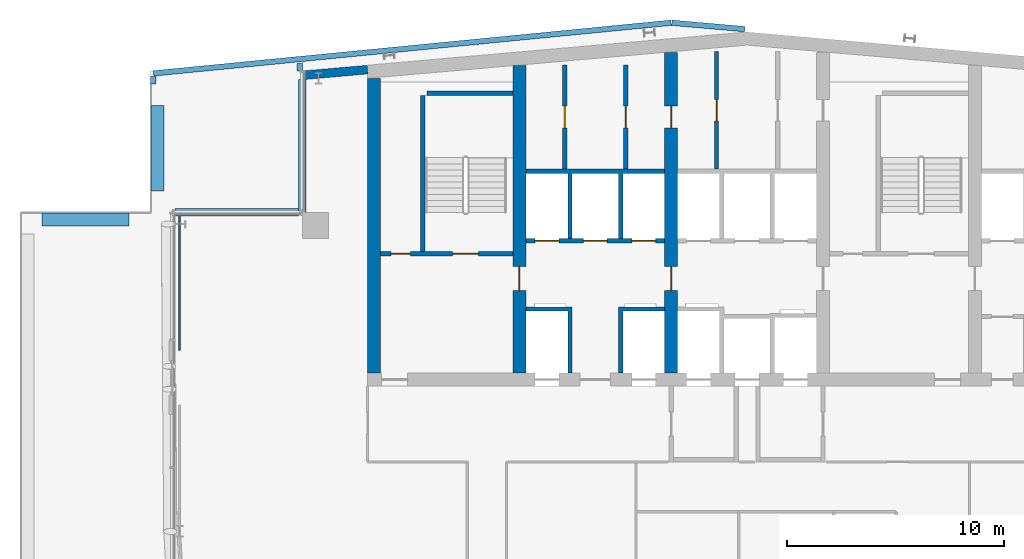
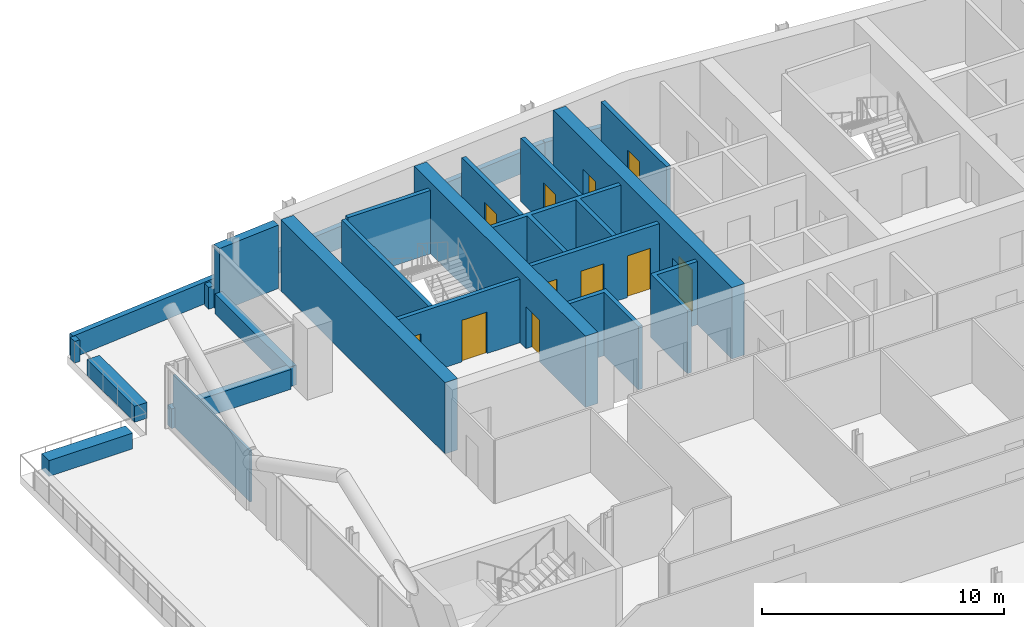
# One storey, part 16 of 27: 23 walls, 11 doors, 11 openings.
"""IFC4 building model written with IfcOpenShell, lengths in metres."""

import ifcopenshell
import ifcopenshell.guid

model = None  # the IFC model being written
_history = None  # IfcOwnerHistory: only IFC2X3 demands one
_inside = {}  # id of a spatial element -> (the spatial element, [elements in it])
_under = {}  # id of a project, library or spatial element -> (it, [spatial elements below it])
_declared = {}  # id of a project -> (the project, [libraries it declares])
_typed = {}  # id of a type object -> (the type object, [elements of that type])
_made_of = {}  # id of a material, layer set ... -> (it, [elements and type objects made of it])


def new_model(schema):
    """Start an empty IFC model of exactly this schema.

    Asked for "IFC4X3", IfcOpenShell would pick the latest addendum, in which some entities
    have other attributes; the version numbers below select the first issue.
    IFC2X3 requires an IfcOwnerHistory on every rooted entity: one is made here for all.
    """
    global model, _history
    if schema == "IFC4X3":
        model = ifcopenshell.file(schema_version=(4, 3, 0, 0))
    else:
        model = ifcopenshell.file(schema=schema)
    _inside.clear()
    _under.clear()
    _declared.clear()
    _typed.clear()
    _made_of.clear()
    _history = None
    if model.schema == "IFC2X3":
        org = make("IfcOrganization", Name="unknown")
        user = make(
            "IfcPersonAndOrganization",
            ThePerson=make("IfcPerson", FamilyName="unknown"),
            TheOrganization=org,
        )
        app = make(
            "IfcApplication",
            ApplicationDeveloper=org,
            Version="unknown",
            ApplicationFullName="unknown",
            ApplicationIdentifier="unknown",
        )
        _history = make(
            "IfcOwnerHistory",
            OwningUser=user,
            OwningApplication=app,
            ChangeAction="ADDED",
            CreationDate=0,
        )
    return model


def make(cls, **values):
    """One entity of the class cls with the attributes given. An attribute that is None is left unset."""
    return model.create_entity(
        cls, **{name: value for name, value in values.items() if value is not None}
    )


def rooted(cls, **values):
    """An entity with a GlobalId (a new one), such as an element, a storey or a relation."""
    return make(cls, GlobalId=ifcopenshell.guid.new(), OwnerHistory=_history, **values)


def si_unit(unit_type, name, prefix=None):
    """IfcSIUnit, for example si_unit("LENGTHUNIT", "METRE", prefix="MILLI")."""
    return make("IfcSIUnit", UnitType=unit_type, Prefix=prefix, Name=name)


def assignment(units):
    """IfcUnitAssignment: the units of a project."""
    return None if units is None else make("IfcUnitAssignment", Units=units)


def point(xyz):
    """IfcCartesianPoint."""
    return None if xyz is None else make("IfcCartesianPoint", Coordinates=xyz)


def direction(xyz):
    """IfcDirection."""
    return None if xyz is None else make("IfcDirection", DirectionRatios=xyz)


def frame(location, z_axis=None, x_axis=None):
    """IfcAxis2Placement3D, a coordinate frame: its origin and axes. An axis left out is left unset."""
    return make(
        "IfcAxis2Placement3D",
        Location=point(location),
        Axis=direction(z_axis),
        RefDirection=direction(x_axis),
    )


def frame_2d(location, x_axis=None):
    """IfcAxis2Placement2D, a coordinate frame in the plane: its origin and x axis."""
    return make(
        "IfcAxis2Placement2D", Location=point(location), RefDirection=direction(x_axis)
    )


def origin():
    """The frame at (0, 0, 0) with its axes left unset."""
    return frame((0.0, 0.0, 0.0))


def place(relative_to, where):
    """IfcLocalPlacement: puts the frame where relative to a parent placement (None: the world)."""
    return make(
        "IfcLocalPlacement", PlacementRelTo=relative_to, RelativePlacement=where
    )


def context(
    kind, dimensions, precision=None, world=None, true_north=None, identifier=None
):
    """IfcGeometricRepresentationContext, for example the 3D "Model" context."""
    return make(
        "IfcGeometricRepresentationContext",
        ContextIdentifier=identifier,
        ContextType=kind,
        CoordinateSpaceDimension=dimensions,
        Precision=precision,
        WorldCoordinateSystem=world,
        TrueNorth=true_north,
    )


def subcontext(parent, identifier, kind, view, scale=None):
    """IfcGeometricRepresentationSubContext, for example "Body" below "Model"."""
    return make(
        "IfcGeometricRepresentationSubContext",
        ContextIdentifier=identifier,
        ContextType=kind,
        ParentContext=parent,
        TargetScale=scale,
        TargetView=view,
    )


def project(units=None, contexts=None):
    """IfcProject with its units and contexts."""
    return rooted(
        "IfcProject",
        Name="project",
        RepresentationContexts=contexts,
        UnitsInContext=assignment(units),
    )


def spatial(cls, under=None, at=None, **own):
    """A site, building, storey or space (cls), placed at a placement, below another one or the project."""
    s = rooted(cls, ObjectPlacement=at, **own)
    if under is not None:
        _under.setdefault(under.id(), (under, []))[1].append(s)
    return s


def polyline(points):
    """IfcPolyline through the points."""
    return make("IfcPolyline", Points=[point(p) for p in points])


def profile(cls, at=None, kind="AREA", **sizes):
    """A parametric profile (cls). Its sizes go by their IFC names, for example OverallWidth=200.0."""
    return make(cls, ProfileType=kind, Position=at, **sizes)


def rectangle(**sizes):
    """IfcRectangleProfileDef."""
    return profile("IfcRectangleProfileDef", **sizes)


def outline(outer, holes=None, kind="AREA"):
    """IfcArbitraryClosedProfileDef: a profile drawn as a closed curve; with holes, ...WithVoids."""
    if holes is None:
        return make("IfcArbitraryClosedProfileDef", ProfileType=kind, OuterCurve=outer)
    return make(
        "IfcArbitraryProfileDefWithVoids",
        ProfileType=kind,
        OuterCurve=outer,
        InnerCurves=holes,
    )


def extrude(swept, where, along, depth):
    """IfcExtrudedAreaSolid: the profile swept, set in the frame where, extruded along a direction by depth."""
    return make(
        "IfcExtrudedAreaSolid",
        SweptArea=swept,
        Position=where,
        ExtrudedDirection=direction(along),
        Depth=depth,
    )


def shape(context_of_items, identifier, shape_type, items):
    """IfcShapeRepresentation: the items that make up one representation, for example the "Body"."""
    return make(
        "IfcShapeRepresentation",
        ContextOfItems=context_of_items,
        RepresentationIdentifier=identifier,
        RepresentationType=shape_type,
        Items=items,
    )


def material(Name=None, Category=None):
    """IfcMaterial."""
    return make("IfcMaterial", Name=Name, Category=Category)


def layer(
    of_material, thickness, ventilated=None, Name=None, Category=None, Priority=None
):
    """IfcMaterialLayer: one layer of a wall or slab, of a material (None: an air gap)."""
    return make(
        "IfcMaterialLayer",
        Material=of_material,
        LayerThickness=thickness,
        IsVentilated=ventilated,
        Name=Name,
        Category=Category,
        Priority=Priority,
    )


def layer_set(layers, Name=None):
    """IfcMaterialLayerSet."""
    return make("IfcMaterialLayerSet", MaterialLayers=layers, LayerSetName=Name)


def made_of(thing, what):
    """Note that an element or type object is made of a material, layer set ...; save() writes the relation."""
    if what is not None:
        _made_of.setdefault(what.id(), (what, []))[1].append(thing)
    return thing


def type_object(cls, material=None, **own):
    """A type object (cls), such as IfcWallType, which elements share."""
    return made_of(rooted(cls, **own), material)


def element(
    cls,
    number,
    at=None,
    inside=None,
    cuts=None,
    type_object=None,
    material=None,
    context=None,
    identifier="Body",
    shape_type=None,
    held_by="IfcProductDefinitionShape",
    body=None,
    shapes=None,
    **own,
):
    """One element of the class cls, such as IfcWall. Its Tag is "e" and its number.

    at: its placement. inside: the storey or other place that contains it. cuts: it is an
    opening in that element (IfcRelVoidsElement). A single representation is given by context,
    identifier, shape_type and body (its items); several are given by shapes. held_by: the class
    of the entity that holds the representations. save() writes the other relations.
    """
    e = rooted(cls, Tag="e%d" % number, ObjectPlacement=at, **own)
    if body is not None:
        shapes = [shape(context, identifier, shape_type, body)]
    if shapes is not None:
        e.Representation = make(held_by, Representations=shapes)
    if inside is not None:
        _inside.setdefault(inside.id(), (inside, []))[1].append(e)
    if cuts is not None:
        rooted(
            "IfcRelVoidsElement", RelatingBuildingElement=cuts, RelatedOpeningElement=e
        )
    if type_object is not None:
        _typed.setdefault(type_object.id(), (type_object, []))[1].append(e)
    return made_of(e, material)


def fill(opening, filler):
    """IfcRelFillsElement: the door or window that sits in an opening."""
    return rooted(
        "IfcRelFillsElement",
        RelatingOpeningElement=opening,
        RelatedBuildingElement=filler,
    )


def aggregate(whole, parts):
    """IfcRelAggregates: a whole, such as a stair, and the parts it consists of."""
    return rooted("IfcRelAggregates", RelatingObject=whole, RelatedObjects=parts)


def save(model, path):
    """Write the relations noted so far, then the file.

    IfcRelAggregates (storeys below a building ...), IfcRelContainedInSpatialStructure (elements
    in a storey), IfcRelDefinesByType, IfcRelAssociatesMaterial and IfcRelDeclares: one each for
    every whole, place, type object, material and project.
    """
    for whole, parts in _under.values():
        aggregate(whole, parts)
    for where, things in _inside.values():
        rooted(
            "IfcRelContainedInSpatialStructure",
            RelatedElements=things,
            RelatingStructure=where,
        )
    for kind, things in _typed.values():
        rooted("IfcRelDefinesByType", RelatedObjects=things, RelatingType=kind)
    for what, things in _made_of.values():
        rooted("IfcRelAssociatesMaterial", RelatedObjects=things, RelatingMaterial=what)
    for by, libraries in _declared.values():
        rooted("IfcRelDeclares", RelatingContext=by, RelatedDefinitions=libraries)
    model.write(path)


model = new_model("IFC4")

# Units and contexts
model_context = context("Model", 3, precision=1e-05, world=origin(), true_north=direction((0.0, 1.0)))
body_context = subcontext(model_context, "Body", "Model", "MODEL_VIEW")
ifc_project = project(units=[si_unit("LENGTHUNIT", "METRE"), si_unit("AREAUNIT", "SQUARE_METRE"), si_unit("VOLUMEUNIT", "CUBIC_METRE"), si_unit("PLANEANGLEUNIT", "RADIAN"), si_unit("MASSUNIT", "GRAM", prefix="KILO")], contexts=[model_context])

# Site, building, storey
site_placement = place(None, origin())
site = spatial("IfcSite", under=ifc_project, at=site_placement, CompositionType="ELEMENT")
building_placement = place(site_placement, origin())
building = spatial("IfcBuilding", under=site, at=building_placement, Name="Wharfspan Tower", CompositionType="ELEMENT")
storey_placement = place(building_placement, frame((0.0, 0.0, 207.100098)))
storey = spatial("IfcBuildingStorey", under=building, at=storey_placement, Name="L51", CompositionType="ELEMENT", Elevation=207.100098)

# Wall, opening, door
ifc_material_1 = material(Name="Calcium silicate masonry", Category="masonry")
ifc_layer_1 = layer(ifc_material_1, 0.199951)
ifc_layer_set_1 = layer_set([ifc_layer_1], Name="Calcium silicate masonry")
wall_type_1 = type_object("IfcWallType", Name="Core room wall 200", PredefinedType="PARTITIONING", material=ifc_layer_set_1)
wall_1_placement = place(storey_placement, frame((32.092041, 44.0, 0.0), z_axis=(0.0, 0.0, 1.0), x_axis=(0.0, 1.0, 0.0)))
wall_1 = element("IfcWall", 1, at=wall_1_placement, inside=storey, type_object=wall_type_1, Name="sw:L51:RP3.1", PredefinedType="PARTITIONING", context=body_context, shape_type="SweptSolid", body=[
    extrude(rectangle(XDim=4.803711, YDim=0.199951, at=frame_2d((2.401855, 0.0))), origin(), (0.0, 0.0, 1.0), 3.199951),
])
opening_1_placement = place(wall_1_placement, frame((1.901855, 0.0, 0.0)))
opening_1 = element("IfcOpeningElement", 2, at=opening_1_placement, cuts=wall_1, Name="Opening CD51.3P1", PredefinedType="OPENING", context=body_context, shape_type="SweptSolid", body=[
    extrude(rectangle(XDim=1.0, YDim=2.100098, at=frame_2d((0.5, 1.050049))), frame((0.0, 0.109863, 0.0), z_axis=(0.0, -1.0, 0.0), x_axis=(1.0, 0.0, 0.0)), (0.0, 0.0, 1.0), 0.219971),
])
ifc_material_2 = material(Name="Steel door leaf", Category="steel")
door_type_1 = type_object("IfcDoorType", Name="Core room door 1000x2100", OperationType="SINGLE_SWING_LEFT", PredefinedType="DOOR", material=ifc_material_2)
door_1_placement = place(opening_1_placement, origin())
door_1 = element("IfcDoor", 3, at=door_1_placement, inside=storey, type_object=door_type_1, Name="d:L51:3:rp1", OperationType="SINGLE_SWING_LEFT", OverallHeight=2.100098, OverallWidth=1.0, PredefinedType="DOOR", context=body_context, shape_type="SweptSolid", body=[
    extrude(rectangle(XDim=1.0, YDim=2.100098, at=frame_2d((0.5, 1.050049))), frame((0.0, 0.024902, 0.0), z_axis=(0.0, -1.0, 0.0), x_axis=(1.0, 0.0, 0.0)), (0.0, 0.0, 1.0), 0.050049),
])
fill(opening_1, door_1)

wall_2_placement = place(storey_placement, frame((34.907959, 44.0, 0.0), z_axis=(0.0, 0.0, 1.0), x_axis=(0.0, 1.0, 0.0)))
wall_2 = element("IfcWall", 4, at=wall_2_placement, inside=storey, type_object=wall_type_1, Name="sw:L51:RP3.2", PredefinedType="PARTITIONING", context=body_context, shape_type="SweptSolid", body=[
    extrude(rectangle(XDim=4.803711, YDim=0.199951, at=frame_2d((2.401855, 0.0))), origin(), (0.0, 0.0, 1.0), 3.199951),
])
opening_2_placement = place(wall_2_placement, frame((1.901855, 0.0, 0.0)))
opening_2 = element("IfcOpeningElement", 5, at=opening_2_placement, cuts=wall_2, Name="Opening CD51.3P2", PredefinedType="OPENING", context=body_context, shape_type="SweptSolid", body=[
    extrude(rectangle(XDim=1.0, YDim=2.100098, at=frame_2d((0.5, 1.050049))), frame((0.0, 0.109863, 0.0), z_axis=(0.0, -1.0, 0.0), x_axis=(1.0, 0.0, 0.0)), (0.0, 0.0, 1.0), 0.219971),
])
door_2_placement = place(opening_2_placement, origin())
door_2 = element("IfcDoor", 6, at=door_2_placement, inside=storey, type_object=door_type_1, Name="d:L51:3:rp2", OperationType="SINGLE_SWING_LEFT", OverallHeight=2.100098, OverallWidth=1.0, PredefinedType="DOOR", context=body_context, shape_type="SweptSolid", body=[
    extrude(rectangle(XDim=1.0, YDim=2.100098, at=frame_2d((0.5, 1.050049))), frame((0.0, 0.024902, 0.0), z_axis=(0.0, -1.0, 0.0), x_axis=(1.0, 0.0, 0.0)), (0.0, 0.0, 1.0), 0.050049),
])
fill(opening_2, door_2)

wall_3_placement = place(storey_placement, frame((39.092041, 44.0, 0.0), z_axis=(0.0, 0.0, 1.0), x_axis=(0.0, 1.0, 0.0)))
wall_3 = element("IfcWall", 7, at=wall_3_placement, inside=storey, type_object=wall_type_1, Name="sw:L51:RP4.1", PredefinedType="PARTITIONING", context=body_context, shape_type="SweptSolid", body=[
    extrude(rectangle(XDim=5.41626, YDim=0.199951, at=frame_2d((2.708008, 0.0))), origin(), (0.0, 0.0, 1.0), 3.199951),
])
opening_3_placement = place(wall_3_placement, frame((2.208008, 0.0, 0.0)))
opening_3 = element("IfcOpeningElement", 8, at=opening_3_placement, cuts=wall_3, Name="Opening CD51.4P1", PredefinedType="OPENING", context=body_context, shape_type="SweptSolid", body=[
    extrude(rectangle(XDim=1.0, YDim=2.100098, at=frame_2d((0.5, 1.050049))), frame((0.0, 0.109863, 0.0), z_axis=(0.0, -1.0, 0.0), x_axis=(1.0, 0.0, 0.0)), (0.0, 0.0, 1.0), 0.219971),
])
door_3_placement = place(opening_3_placement, origin())
door_3 = element("IfcDoor", 9, at=door_3_placement, inside=storey, type_object=door_type_1, Name="d:L51:4:rp1", OperationType="SINGLE_SWING_LEFT", OverallHeight=2.100098, OverallWidth=1.0, PredefinedType="DOOR", context=body_context, shape_type="SweptSolid", body=[
    extrude(rectangle(XDim=1.0, YDim=2.100098, at=frame_2d((0.5, 1.050049))), frame((0.0, 0.024902, 0.0), z_axis=(0.0, -1.0, 0.0), x_axis=(1.0, 0.0, 0.0)), (0.0, 0.0, 1.0), 0.050049),
])
fill(opening_3, door_3)

# Wall
ifc_material_3 = material(Name="Concrete C50/60", Category="concrete")
ifc_layer_2 = layer(ifc_material_3, 0.600098)
ifc_layer_set_2 = layer_set([ifc_layer_2], Name="Concrete C50/60")
wall_type_2 = type_object("IfcWallType", Name="Core wall 600 C50/60", PredefinedType="SHEAR", material=ifc_layer_set_2)
wall_4_placement = place(storey_placement, frame((23.300049, 34.600098, 0.0), z_axis=(0.0, 0.0, 1.0), x_axis=(0.0, 1.0, 0.0)))
element("IfcWall", 10, at=wall_4_placement, inside=storey, type_object=wall_type_2, Name="Core cross wall EW0 L51", PredefinedType="SHEAR", context=body_context, shape_type="SweptSolid", body=[
    extrude(rectangle(XDim=13.584961, YDim=0.600098, at=frame_2d((6.79248, 0.0))), origin(), (0.0, 0.0, 1.0), 3.599854),
])

# Wall, opening, door
wall_5_placement = place(storey_placement, frame((30.0, 34.600098, 0.0), z_axis=(0.0, 0.0, 1.0), x_axis=(0.0, 1.0, 0.0)))
wall_5 = element("IfcWall", 11, at=wall_5_placement, inside=storey, type_object=wall_type_2, Name="Core cross wall X3 L51", PredefinedType="SHEAR", context=body_context, shape_type="SweptSolid", body=[
    extrude(rectangle(XDim=14.171143, YDim=0.600098, at=frame_2d((7.085449, 0.0))), origin(), (0.0, 0.0, 1.0), 3.599854),
])
opening_4_placement = place(wall_5_placement, frame((3.800049, 0.0, 0.0)))
opening_4 = element("IfcOpeningElement", 12, at=opening_4_placement, cuts=wall_5, Name="Opening CC51.3", PredefinedType="OPENING", context=body_context, shape_type="SweptSolid", body=[
    extrude(rectangle(XDim=1.100098, YDim=2.100098, at=frame_2d((0.550049, 1.050049))), frame((0.0, 0.310059, 0.0), z_axis=(0.0, -1.0, 0.0), x_axis=(1.0, 0.0, 0.0)), (0.0, 0.0, 1.0), 0.620117),
])
door_type_2 = type_object("IfcDoorType", Name="Core corridor door 1100x2100", OperationType="SINGLE_SWING_LEFT", PredefinedType="DOOR", material=ifc_material_2)
door_4_placement = place(opening_4_placement, origin())
door_4 = element("IfcDoor", 13, at=door_4_placement, inside=storey, type_object=door_type_2, Name="xd:L51:3", OperationType="SINGLE_SWING_LEFT", OverallHeight=2.100098, OverallWidth=1.100098, PredefinedType="DOOR", context=body_context, shape_type="SweptSolid", body=[
    extrude(rectangle(XDim=1.100098, YDim=2.100098, at=frame_2d((0.550049, 1.050049))), frame((0.0, 0.024902, 0.0), z_axis=(0.0, -1.0, 0.0), x_axis=(1.0, 0.0, 0.0)), (0.0, 0.0, 1.0), 0.050049),
])
fill(opening_4, door_4)

# Wall, openings, doors
wall_6_placement = place(storey_placement, frame((37.0, 34.600098, 0.0), z_axis=(0.0, 0.0, 1.0), x_axis=(0.0, 1.0, 0.0)))
wall_6 = element("IfcWall", 14, at=wall_6_placement, inside=storey, type_object=wall_type_2, Name="Core cross wall X4 L51", PredefinedType="SHEAR", context=body_context, shape_type="SweptSolid", body=[
    extrude(rectangle(XDim=14.783691, YDim=0.600098, at=frame_2d((7.391846, 0.0))), origin(), (0.0, 0.0, 1.0), 3.599854),
])
opening_5_placement = place(wall_6_placement, frame((11.302002, 0.0, 0.0)))
opening_5 = element("IfcOpeningElement", 15, at=opening_5_placement, cuts=wall_6, Name="Opening CD51.3X", PredefinedType="OPENING", context=body_context, shape_type="SweptSolid", body=[
    extrude(rectangle(XDim=1.0, YDim=2.100098, at=frame_2d((0.5, 1.050049))), frame((0.0, 0.310059, 0.0), z_axis=(0.0, -1.0, 0.0), x_axis=(1.0, 0.0, 0.0)), (0.0, 0.0, 1.0), 0.620117),
])
opening_6_placement = place(wall_6_placement, frame((3.800049, 0.0, 0.0)))
opening_6 = element("IfcOpeningElement", 16, at=opening_6_placement, cuts=wall_6, Name="Opening CC51.4", PredefinedType="OPENING", context=body_context, shape_type="SweptSolid", body=[
    extrude(rectangle(XDim=1.100098, YDim=2.100098, at=frame_2d((0.550049, 1.050049))), frame((0.0, 0.310059, 0.0), z_axis=(0.0, -1.0, 0.0), x_axis=(1.0, 0.0, 0.0)), (0.0, 0.0, 1.0), 0.620117),
])
door_5_placement = place(opening_6_placement, origin())
door_5 = element("IfcDoor", 17, at=door_5_placement, inside=storey, type_object=door_type_2, Name="xd:L51:4", OperationType="SINGLE_SWING_RIGHT", OverallHeight=2.100098, OverallWidth=1.100098, PredefinedType="DOOR", context=body_context, shape_type="SweptSolid", body=[
    extrude(rectangle(XDim=1.100098, YDim=2.100098, at=frame_2d((0.550049, 1.050049))), frame((0.0, 0.024902, 0.0), z_axis=(0.0, -1.0, 0.0), x_axis=(1.0, 0.0, 0.0)), (0.0, 0.0, 1.0), 0.050049),
])
fill(opening_6, door_5)
door_6_placement = place(opening_5_placement, origin())
door_6 = element("IfcDoor", 18, at=door_6_placement, inside=storey, type_object=door_type_1, Name="d:L51:3:sx", OperationType="SINGLE_SWING_LEFT", OverallHeight=2.100098, OverallWidth=1.0, PredefinedType="DOOR", context=body_context, shape_type="SweptSolid", body=[
    extrude(rectangle(XDim=1.0, YDim=2.100098, at=frame_2d((0.5, 1.050049))), frame((0.0, 0.024902, 0.0), z_axis=(0.0, -1.0, 0.0), x_axis=(1.0, 0.0, 0.0)), (0.0, 0.0, 1.0), 0.050049),
])
fill(opening_5, door_6)

ifc_material_4 = material(Name="Concrete C30/37", Category="concrete")
ifc_layer_3 = layer(ifc_material_4, 0.199951)
ifc_layer_set_3 = layer_set([ifc_layer_3], Name="Concrete C30/37")
wall_type_3 = type_object("IfcWallType", Name="Lift shaft wall 200", PredefinedType="PARTITIONING", material=ifc_layer_set_3)
wall_7_placement = place(storey_placement, frame((30.300049, 40.699951, 0.0), z_axis=(0.0, 0.0, 1.0), x_axis=(1.0, 0.0, 0.0)))
wall_7 = element("IfcWall", 19, at=wall_7_placement, inside=storey, type_object=wall_type_3, Name="sw:L51:RF3", PredefinedType="PARTITIONING", context=body_context, shape_type="SweptSolid", body=[
    extrude(rectangle(XDim=6.399902, YDim=0.199951, at=frame_2d((3.199951, 0.0))), origin(), (0.0, 0.0, 1.0), 3.199951),
])
opening_7_placement = place(wall_7_placement, frame((0.416748, 0.0, 0.0)))
opening_7 = element("IfcOpeningElement", 20, at=opening_7_placement, cuts=wall_7, Name="Opening LD.LB1.L51", PredefinedType="OPENING", context=body_context, shape_type="SweptSolid", body=[
    extrude(rectangle(XDim=1.100098, YDim=2.100098, at=frame_2d((0.550049, 1.050049))), frame((0.0, 0.109863, 0.0), z_axis=(0.0, -1.0, 0.0), x_axis=(1.0, 0.0, 0.0)), (0.0, 0.0, 1.0), 0.219971),
])
opening_8_placement = place(wall_7_placement, frame((2.649902, 0.0, 0.0)))
opening_8 = element("IfcOpeningElement", 21, at=opening_8_placement, cuts=wall_7, Name="Opening LD.LB2.L51", PredefinedType="OPENING", context=body_context, shape_type="SweptSolid", body=[
    extrude(rectangle(XDim=1.100098, YDim=2.100098, at=frame_2d((0.550049, 1.050049))), frame((0.0, 0.109863, 0.0), z_axis=(0.0, -1.0, 0.0), x_axis=(1.0, 0.0, 0.0)), (0.0, 0.0, 1.0), 0.219971),
])
opening_9_placement = place(wall_7_placement, frame((4.883301, 0.0, 0.0)))
opening_9 = element("IfcOpeningElement", 22, at=opening_9_placement, cuts=wall_7, Name="Opening LD.LB3.L51", PredefinedType="OPENING", context=body_context, shape_type="SweptSolid", body=[
    extrude(rectangle(XDim=1.100098, YDim=2.100098, at=frame_2d((0.550049, 1.050049))), frame((0.0, 0.109863, 0.0), z_axis=(0.0, -1.0, 0.0), x_axis=(1.0, 0.0, 0.0)), (0.0, 0.0, 1.0), 0.219971),
])
ifc_material_5 = material(Name="Stainless steel", Category="steel")
door_type_3 = type_object("IfcDoorType", Name="Lift landing door 1100x2100", OperationType="DOUBLE_DOOR_SLIDING", PredefinedType="DOOR", material=ifc_material_5)
door_7_placement = place(opening_7_placement, origin())
door_7 = element("IfcDoor", 23, at=door_7_placement, inside=storey, type_object=door_type_3, Name="Landing door LB1 L51", OperationType="DOUBLE_DOOR_SLIDING", OverallHeight=2.100098, OverallWidth=1.100098, PredefinedType="DOOR", context=body_context, shape_type="SweptSolid", body=[
    extrude(rectangle(XDim=1.100098, YDim=2.100098, at=frame_2d((0.550049, 1.050049))), frame((0.0, 0.024902, 0.0), z_axis=(0.0, -1.0, 0.0), x_axis=(1.0, 0.0, 0.0)), (0.0, 0.0, 1.0), 0.050049),
])
fill(opening_7, door_7)
door_8_placement = place(opening_8_placement, origin())
door_8 = element("IfcDoor", 24, at=door_8_placement, inside=storey, type_object=door_type_3, Name="Landing door LB2 L51", OperationType="DOUBLE_DOOR_SLIDING", OverallHeight=2.100098, OverallWidth=1.100098, PredefinedType="DOOR", context=body_context, shape_type="SweptSolid", body=[
    extrude(rectangle(XDim=1.100098, YDim=2.100098, at=frame_2d((0.550049, 1.050049))), frame((0.0, 0.024902, 0.0), z_axis=(0.0, -1.0, 0.0), x_axis=(1.0, 0.0, 0.0)), (0.0, 0.0, 1.0), 0.050049),
])
fill(opening_8, door_8)
door_9_placement = place(opening_9_placement, origin())
door_9 = element("IfcDoor", 25, at=door_9_placement, inside=storey, type_object=door_type_3, Name="Landing door LB3 L51", OperationType="DOUBLE_DOOR_SLIDING", OverallHeight=2.100098, OverallWidth=1.100098, PredefinedType="DOOR", context=body_context, shape_type="SweptSolid", body=[
    extrude(rectangle(XDim=1.100098, YDim=2.100098, at=frame_2d((0.550049, 1.050049))), frame((0.0, 0.024902, 0.0), z_axis=(0.0, -1.0, 0.0), x_axis=(1.0, 0.0, 0.0)), (0.0, 0.0, 1.0), 0.050049),
])
fill(opening_9, door_9)

# Walls
wall_8_placement = place(storey_placement, frame((0.0, 0.0, -0.000244)))
element("IfcWall", 26, at=wall_8_placement, inside=storey, type_object=wall_type_3, Name="sw:L51:FM3.0", PredefinedType="PARTITIONING", context=body_context, shape_type="SweptSolid", body=[
    extrude(outline(polyline([(32.233398, 37.449951), (30.300049, 37.449951), (30.300049, 37.649902), (32.233398, 37.649902), (32.43335, 37.649902), (32.43335, 34.600098), (32.233398, 34.600098), (32.233398, 37.449951)])), origin(), (0.0, 0.0, 1.0), 3.200195),
])
wall_9_placement = place(storey_placement, frame((0.0, 0.0, -0.000244)))
element("IfcWall", 27, at=wall_9_placement, inside=storey, type_object=wall_type_3, Name="sw:L51:FM3.1", PredefinedType="PARTITIONING", context=body_context, shape_type="SweptSolid", body=[
    extrude(outline(polyline([(34.56665, 37.649902), (34.766602, 37.649902), (36.699951, 37.649902), (36.699951, 37.449951), (34.766602, 37.449951), (34.766602, 34.600098), (34.56665, 34.600098), (34.56665, 37.649902)])), origin(), (0.0, 0.0, 1.0), 3.200195),
])
wall_10_placement = place(storey_placement, frame((0.0, 0.0, -0.000244)))
element("IfcWall", 28, at=wall_10_placement, inside=storey, type_object=wall_type_3, Name="sw:L51:RM3.0", PredefinedType="PARTITIONING", context=body_context, shape_type="SweptSolid", body=[
    extrude(outline(polyline([(32.43335, 40.800049), (32.233398, 40.800049), (32.233398, 43.800049), (30.300049, 43.800049), (30.300049, 44.0), (36.699951, 44.0), (36.699951, 43.800049), (34.766602, 43.800049), (34.766602, 40.800049), (34.56665, 40.800049), (34.56665, 43.800049), (32.43335, 43.800049), (32.43335, 40.800049)])), origin(), (0.0, 0.0, 1.0), 3.200195),
])
ifc_material_6 = material(Name="Concrete C40/50", Category="concrete")
ifc_layer_4 = layer(ifc_material_6, 0.25)
ifc_layer_set_4 = layer_set([ifc_layer_4], Name="Concrete C40/50")
wall_type_4 = type_object("IfcWallType", Name="PARAPET CONCRETE 250", PredefinedType="PARAPET", material=ifc_layer_set_4)
wall_11_placement = place(storey_placement, frame((13.135254, 48.412598, 0.0), z_axis=(0.0, 0.0, 1.0), x_axis=(0.995233, 0.097487, 0.0)))
element("IfcWall", 29, at=wall_11_placement, inside=storey, type_object=wall_type_4, Name="Ledge parapet", PredefinedType="PARAPET", context=body_context, shape_type="SweptSolid", body=[
    extrude(rectangle(XDim=23.979004, YDim=0.25, at=frame_2d((11.989502, 0.0))), origin(), (0.0, 0.0, 1.0), 1.099854),
])
wall_12_placement = place(storey_placement, frame((37.029785, 50.747559, 0.0), z_axis=(0.0, 0.0, 1.0), x_axis=(0.996193, -0.087128, 0.0)))
element("IfcWall", 30, at=wall_12_placement, inside=storey, type_object=wall_type_4, Name="Ledge parapet", PredefinedType="PARAPET", context=body_context, shape_type="SweptSolid", body=[
    extrude(rectangle(XDim=3.379395, YDim=0.25, at=frame_2d((1.689697, 0.0))), origin(), (0.0, 0.0, 1.0), 1.099854),
])
wall_13_placement = place(storey_placement, frame((19.875, 48.524902, 0.0), z_axis=(0.0, 0.0, 1.0), x_axis=(0.0, 1.0, 0.0)))
element("IfcWall", 31, at=wall_13_placement, inside=storey, type_object=wall_type_4, Name="Ledge parapet", PredefinedType="PARAPET", context=body_context, shape_type="SweptSolid", body=[
    extrude(rectangle(XDim=0.341064, YDim=0.25, at=frame_2d((0.17041, 0.0))), origin(), (0.0, 0.0, 1.0), 1.099854),
])
wall_14_placement = place(storey_placement, frame((13.125, 48.274902, 0.0), z_axis=(0.0, 0.0, 1.0), x_axis=(0.0, -1.0, 0.0)))
element("IfcWall", 32, at=wall_14_placement, inside=storey, type_object=wall_type_4, Name="Ledge parapet", PredefinedType="PARAPET", context=body_context, shape_type="SweptSolid", body=[
    extrude(rectangle(XDim=0.349854, YDim=0.25, at=frame_2d((0.174805, 0.0))), origin(), (0.0, 0.0, 1.0), 1.099854),
])
ifc_layer_5 = layer(ifc_material_6, 0.600098)
ifc_layer_set_5 = layer_set([ifc_layer_5], Name="Concrete C40/50")
wall_type_5 = type_object("IfcWallType", Name="PLANTER CONCRETE 600", PredefinedType="SOLIDWALL", material=ifc_layer_set_5)
wall_15_placement = place(storey_placement, frame((8.0, 41.679932, 0.0), z_axis=(0.0, 0.0, 1.0), x_axis=(1.0, 0.0, 0.0)))
element("IfcWall", 33, at=wall_15_placement, inside=storey, type_object=wall_type_5, Name="Planter", PredefinedType="SOLIDWALL", context=body_context, shape_type="SweptSolid", body=[
    extrude(rectangle(XDim=4.0, YDim=0.600098, at=frame_2d((2.0, 0.0))), origin(), (0.0, 0.0, 1.0), 0.799805),
])
wall_16_placement = place(storey_placement, frame((13.320068, 43.0, 0.0), z_axis=(0.0, 0.0, 1.0), x_axis=(0.0, 1.0, 0.0)))
element("IfcWall", 34, at=wall_16_placement, inside=storey, type_object=wall_type_5, Name="Planter", PredefinedType="SOLIDWALL", context=body_context, shape_type="SweptSolid", body=[
    extrude(rectangle(XDim=3.925049, YDim=0.600098, at=frame_2d((1.962402, 0.0))), origin(), (0.0, 0.0, 1.0), 0.799805),
])
ifc_material_7 = material(Name="Gypsum board on steel studs", Category="steel")
ifc_layer_6 = layer(ifc_material_7, 0.100098)
ifc_layer_set_6 = layer_set([ifc_layer_6], Name="Gypsum board on steel studs")
wall_type_6 = type_object("IfcWallType", Name="Partition 100", PredefinedType="PARTITIONING", material=ifc_layer_set_6)
wall_17_placement = place(storey_placement, frame((14.324951, 41.97998, 0.0), z_axis=(0.0, 0.0, 1.0), x_axis=(0.0, -1.0, 0.0)))
element("IfcWall", 35, at=wall_17_placement, inside=storey, type_object=wall_type_6, Name="Partition L51.w002", PredefinedType="PARTITIONING", context=body_context, shape_type="SweptSolid", body=[
    extrude(rectangle(XDim=6.350098, YDim=0.100098, at=frame_2d((3.175049, 0.0))), origin(), (0.0, 0.0, 1.0), 2.579834),
])
ifc_layer_7 = layer(ifc_material_6, 0.350098)
ifc_layer_set_7 = layer_set([ifc_layer_7], Name="Concrete C40/50")
wall_type_7 = type_object("IfcWallType", Name="SPANDREL EXPOSED CONCRETE 350", PredefinedType="SOLIDWALL", material=ifc_layer_set_7)
wall_18_placement = place(storey_placement, frame((19.995117, 48.126465, 0.0), z_axis=(0.0, 0.0, 1.0), x_axis=(0.0, -1.0, 0.0)))
element("IfcWall", 36, at=wall_18_placement, inside=storey, type_object=wall_type_7, Name="Spandrel upstand L51 NRW-V", PredefinedType="SOLIDWALL", context=body_context, shape_type="SweptSolid", body=[
    extrude(rectangle(XDim=6.126465, YDim=0.350098, at=frame_2d((3.063232, 0.0))), origin(), (0.0, 0.0, 1.0), 1.0),
])
wall_19_placement = place(storey_placement, frame((19.820068, 42.004883, 0.0), z_axis=(0.0, 0.0, 1.0), x_axis=(-1.0, 0.0, 0.0)))
element("IfcWall", 37, at=wall_19_placement, inside=storey, type_object=wall_type_7, Name="Spandrel upstand L51 NRW-H", PredefinedType="SOLIDWALL", context=body_context, shape_type="SweptSolid", body=[
    extrude(rectangle(XDim=5.699951, YDim=0.350098, at=frame_2d((2.850098, 0.0))), origin(), (0.0, 0.0, 1.0), 1.0),
])

# Wall, openings, doors
ifc_layer_8 = layer(ifc_material_6, 0.199951)
ifc_layer_set_8 = layer_set([ifc_layer_8], Name="Concrete C40/50")
wall_type_8 = type_object("IfcWallType", Name="Stair shaft wall 200", PredefinedType="SHEAR", material=ifc_layer_set_8)
wall_20_placement = place(storey_placement, frame((23.600098, 40.100098, 0.0), z_axis=(0.0, 0.0, 1.0), x_axis=(1.0, 0.0, 0.0)))
wall_20 = element("IfcWall", 38, at=wall_20_placement, inside=storey, type_object=wall_type_8, Name="ST1 stair enclosure wall L51", PredefinedType="SHEAR", context=body_context, shape_type="SweptSolid", body=[
    extrude(rectangle(XDim=6.099854, YDim=0.199951, at=frame_2d((3.049805, 0.0))), origin(), (0.0, 0.0, 1.0), 3.199951),
])
opening_10_placement = place(wall_20_placement, frame((3.324951, 0.0, 0.0)))
opening_10 = element("IfcOpeningElement", 39, at=opening_10_placement, cuts=wall_20, Name="Opening SD2.L51", PredefinedType="OPENING", context=body_context, shape_type="SweptSolid", body=[
    extrude(rectangle(XDim=1.199951, YDim=2.100098, at=frame_2d((0.600098, 1.050049))), frame((0.0, 0.109863, 0.0), z_axis=(0.0, -1.0, 0.0), x_axis=(1.0, 0.0, 0.0)), (0.0, 0.0, 1.0), 0.219971),
])
opening_11_placement = place(wall_20_placement, frame((0.475098, 0.0, 0.0)))
opening_11 = element("IfcOpeningElement", 40, at=opening_11_placement, cuts=wall_20, Name="Opening CD51.2R", PredefinedType="OPENING", context=body_context, shape_type="SweptSolid", body=[
    extrude(rectangle(XDim=0.899902, YDim=2.100098, at=frame_2d((0.449951, 1.050049))), frame((0.0, 0.109863, 0.0), z_axis=(0.0, -1.0, 0.0), x_axis=(1.0, 0.0, 0.0)), (0.0, 0.0, 1.0), 0.219971),
])
door_10_placement = place(opening_11_placement, origin())
door_10 = element("IfcDoor", 41, at=door_10_placement, inside=storey, type_object=door_type_1, Name="rk:L51:2", OperationType="SINGLE_SWING_LEFT", OverallHeight=2.100098, OverallWidth=0.899902, PredefinedType="DOOR", context=body_context, shape_type="SweptSolid", body=[
    extrude(rectangle(XDim=0.899902, YDim=2.100098, at=frame_2d((0.449951, 1.050049))), frame((0.0, 0.024902, 0.0), z_axis=(0.0, -1.0, 0.0), x_axis=(1.0, 0.0, 0.0)), (0.0, 0.0, 1.0), 0.050049),
])
fill(opening_11, door_10)
door_type_4 = type_object("IfcDoorType", Name="Stair door 1200x2100", OperationType="SINGLE_SWING_LEFT", PredefinedType="DOOR", material=ifc_material_2)
door_11_placement = place(opening_10_placement, origin())
door_11 = element("IfcDoor", 42, at=door_11_placement, inside=storey, type_object=door_type_4, Name="sd:L51:2", OperationType="SINGLE_SWING_RIGHT", OverallHeight=2.100098, OverallWidth=1.199951, PredefinedType="DOOR", context=body_context, shape_type="SweptSolid", body=[
    extrude(rectangle(XDim=1.199951, YDim=2.100098, at=frame_2d((0.600098, 1.050049))), frame((0.0, 0.024902, 0.0), z_axis=(0.0, -1.0, 0.0), x_axis=(1.0, 0.0, 0.0)), (0.0, 0.0, 1.0), 0.050049),
])
fill(opening_10, door_11)

# Walls
wall_21_placement = place(storey_placement, frame((25.550049, 40.199951, 0.0), z_axis=(0.0, 0.0, 1.0), x_axis=(0.0, 1.0, 0.0)))
element("IfcWall", 43, at=wall_21_placement, inside=storey, type_object=wall_type_8, Name="ST1 stair enclosure wall L51", PredefinedType="SHEAR", context=body_context, shape_type="SweptSolid", body=[
    extrude(rectangle(XDim=7.199951, YDim=0.199951, at=frame_2d((3.600098, 0.0))), origin(), (0.0, 0.0, 1.0), 3.199951),
])
wall_22_placement = place(storey_placement, frame((25.75, 47.5, 0.0), z_axis=(0.0, 0.0, 1.0), x_axis=(1.0, 0.0, 0.0)))
element("IfcWall", 44, at=wall_22_placement, inside=storey, type_object=wall_type_8, Name="ST1 stair enclosure wall L51", PredefinedType="SHEAR", context=body_context, shape_type="SweptSolid", body=[
    extrude(rectangle(XDim=3.949951, YDim=0.199951, at=frame_2d((1.975098, 0.0))), origin(), (0.0, 0.0, 1.0), 3.199951),
])
ifc_layer_9 = layer(ifc_material_6, 0.399902)
ifc_layer_set_9 = layer_set([ifc_layer_9], Name="Concrete C40/50")
wall_type_9 = type_object("IfcWallType", Name="WALL EXPOSED CONCRETE 400", PredefinedType="SOLIDWALL", material=ifc_layer_set_9)
wall_23_placement = place(storey_placement, frame((23.0, 48.58667, 0.0), z_axis=(0.0, 0.0, 1.0), x_axis=(-0.996194, -0.087168, 0.0)))
element("IfcWall", 45, at=wall_23_placement, inside=storey, type_object=wall_type_9, Name="Rear wall N1", PredefinedType="SOLIDWALL", context=body_context, shape_type="SweptSolid", body=[
    extrude(rectangle(XDim=2.994141, YDim=0.399902, at=frame_2d((1.49707, 0.0))), origin(), (0.0, 0.0, 1.0), 3.199951),
])

save(model, "model.ifc")
